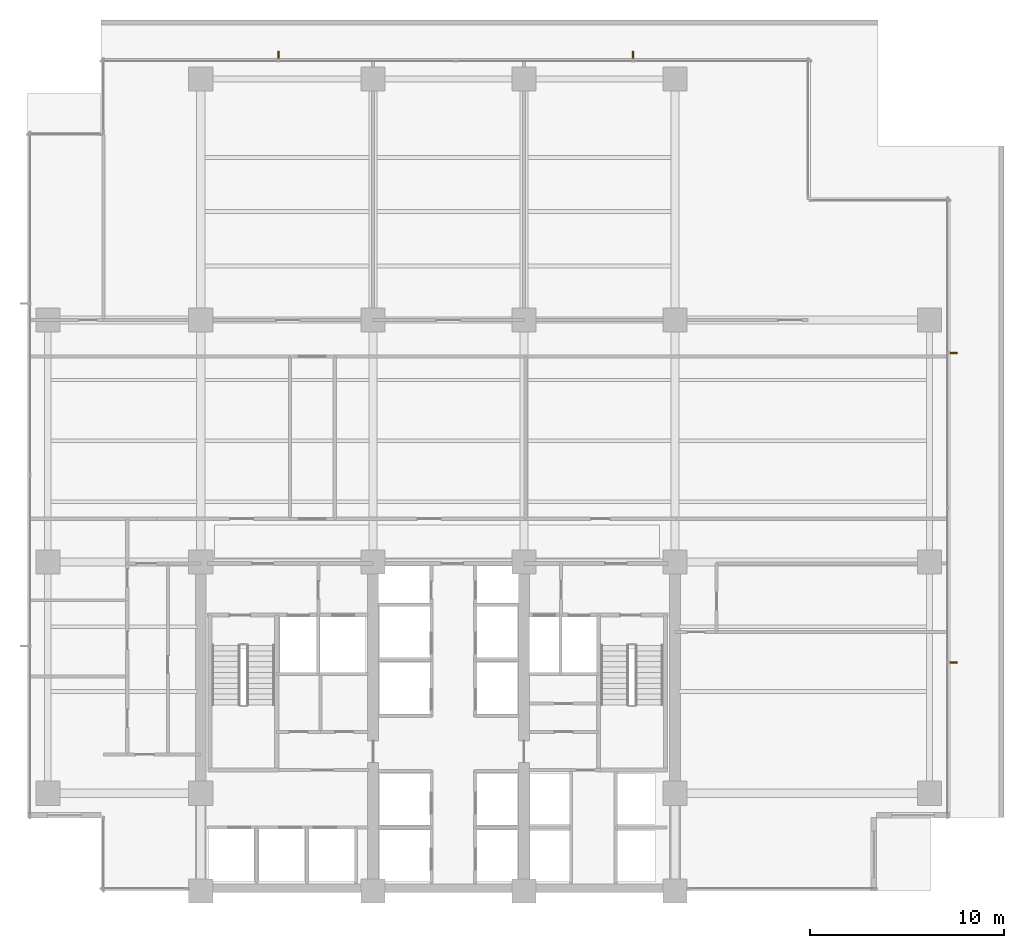
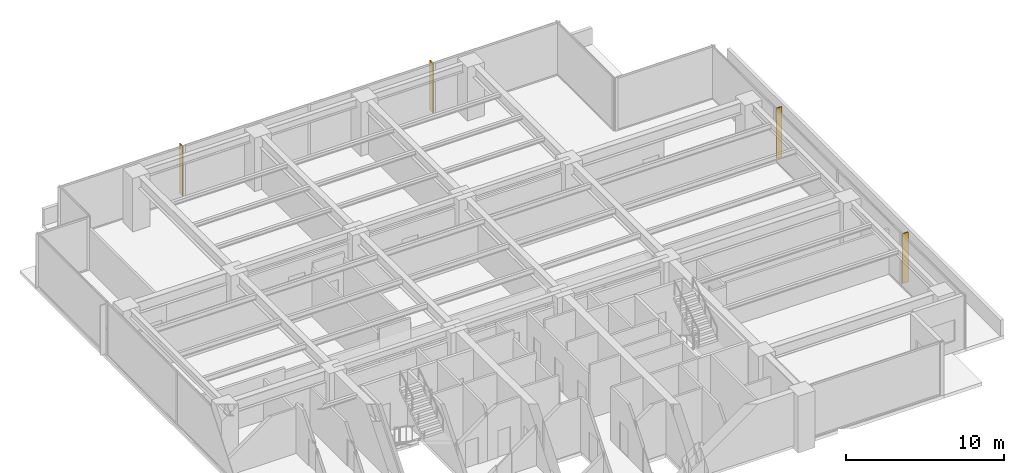
# One storey, part 16 of 16: 4 shading devices.
"""IFC4 building model written with IfcOpenShell, lengths in metres."""

from ifc_helpers import new_model, si_unit, direction, frame, origin, place, context, subcontext, project, spatial, polyline, outline, extrude, material, layer, layer_set, type_object, element, save


model = new_model("IFC4")

# Units and contexts
model_context = context("Model", 3, precision=1e-05, world=origin(), true_north=direction((0.0, 1.0)))
body_context = subcontext(model_context, "Body", "Model", "MODEL_VIEW")
ifc_project = project(units=[si_unit("LENGTHUNIT", "METRE"), si_unit("AREAUNIT", "SQUARE_METRE"), si_unit("VOLUMEUNIT", "CUBIC_METRE"), si_unit("PLANEANGLEUNIT", "RADIAN"), si_unit("MASSUNIT", "GRAM", prefix="KILO")], contexts=[model_context])

# Site, building, storey
site_placement = place(None, origin())
site = spatial("IfcSite", under=ifc_project, at=site_placement, CompositionType="ELEMENT")
building_placement = place(site_placement, origin())
building = spatial("IfcBuilding", under=site, at=building_placement, Name="Qalmaran Belvedere Hotel", CompositionType="ELEMENT")
storey_placement = place(building_placement, frame((0.0, 0.0, 83.800048828125)))
storey = spatial("IfcBuildingStorey", under=building, at=storey_placement, Name="L20", CompositionType="ELEMENT", Elevation=83.800048828125)

# Shading devices
ifc_material = material(Name="Anodised Bronze Aluminium", Category="aluminium")
ifc_layer = layer(ifc_material, 0.06494140625, Name="Anodised Bronze Aluminium")
ifc_layer_set = layer_set([ifc_layer], Name="Anodised Bronze Aluminium")
shading_device_type = type_object("IfcShadingDeviceType", Name="FIN-BRNZ-420", PredefinedType="USERDEFINED", material=ifc_layer_set)
shading_device_1_placement = place(storey_placement, frame((0.0, 0.0, 0.159912109375)))
element("IfcShadingDevice", 1, at=shading_device_1_placement, inside=storey, type_object=shading_device_type, Name="L20 Bronze Fin 1", ObjectType="FIN", PredefinedType="USERDEFINED", context=body_context, shape_type="SweptSolid", body=[
    extrude(outline(polyline([(58.969970703125, 15.267578125), (59.389892578125, 15.267578125), (59.389892578125, 15.33251953125), (58.969970703125, 15.33251953125), (58.969970703125, 15.267578125)])), origin(), (0.0, 0.0, 1.0), 3.860107421875),
])
shading_device_2_placement = place(storey_placement, frame((0.0, 0.0, 0.159912109375)))
element("IfcShadingDevice", 2, at=shading_device_2_placement, inside=storey, type_object=shading_device_type, Name="L20 Bronze Fin 3", ObjectType="FIN", PredefinedType="USERDEFINED", context=body_context, shape_type="SweptSolid", body=[
    extrude(outline(polyline([(58.969970703125, 31.267578125), (59.389892578125, 31.267578125), (59.389892578125, 31.33251953125), (58.969970703125, 31.33251953125), (58.969970703125, 31.267578125)])), origin(), (0.0, 0.0, 1.0), 3.860107421875),
])
shading_device_3_placement = place(storey_placement, frame((0.0, 0.0, 0.159912109375)))
element("IfcShadingDevice", 3, at=shading_device_3_placement, inside=storey, type_object=shading_device_type, Name="L20 Bronze Fin 1", ObjectType="FIN", PredefinedType="USERDEFINED", context=body_context, shape_type="SweptSolid", body=[
    extrude(outline(polyline([(42.669921875, 46.469970703125), (42.669921875, 46.889892578125), (42.60498046875, 46.889892578125), (42.60498046875, 46.469970703125), (42.669921875, 46.469970703125)])), origin(), (0.0, 0.0, 1.0), 3.860107421875),
])
shading_device_4_placement = place(storey_placement, frame((0.0, 0.0, 0.159912109375)))
element("IfcShadingDevice", 4, at=shading_device_4_placement, inside=storey, type_object=shading_device_type, Name="L20 Bronze Fin 3", ObjectType="FIN", PredefinedType="USERDEFINED", context=body_context, shape_type="SweptSolid", body=[
    extrude(outline(polyline([(24.344970703125, 46.469970703125), (24.344970703125, 46.889892578125), (24.280029296875, 46.889892578125), (24.280029296875, 46.469970703125), (24.344970703125, 46.469970703125)])), origin(), (0.0, 0.0, 1.0), 3.860107421875),
])

save(model, "model.ifc")
